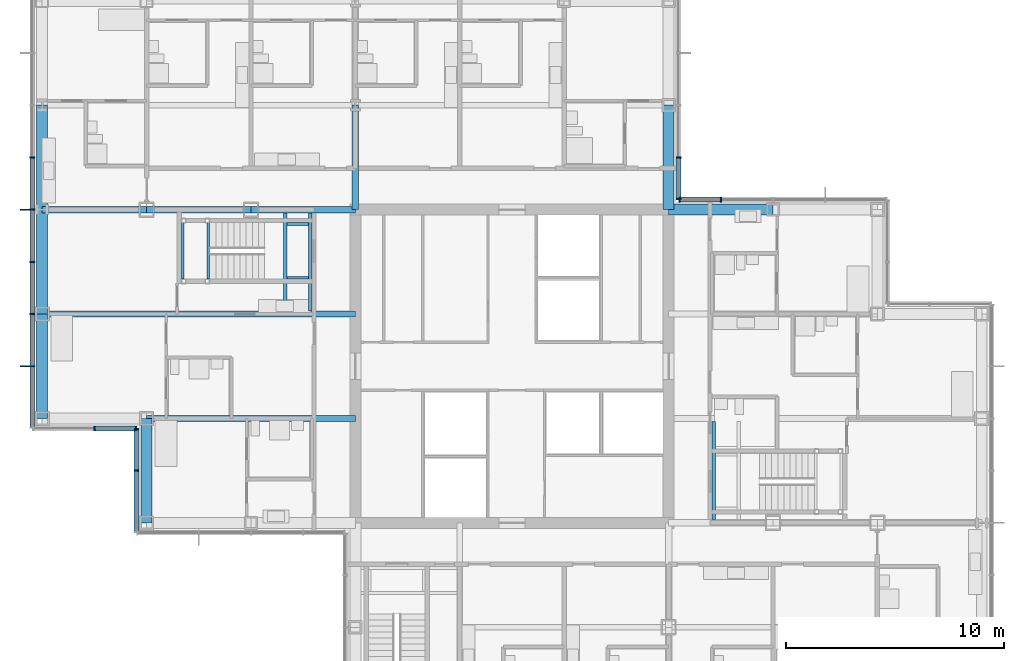
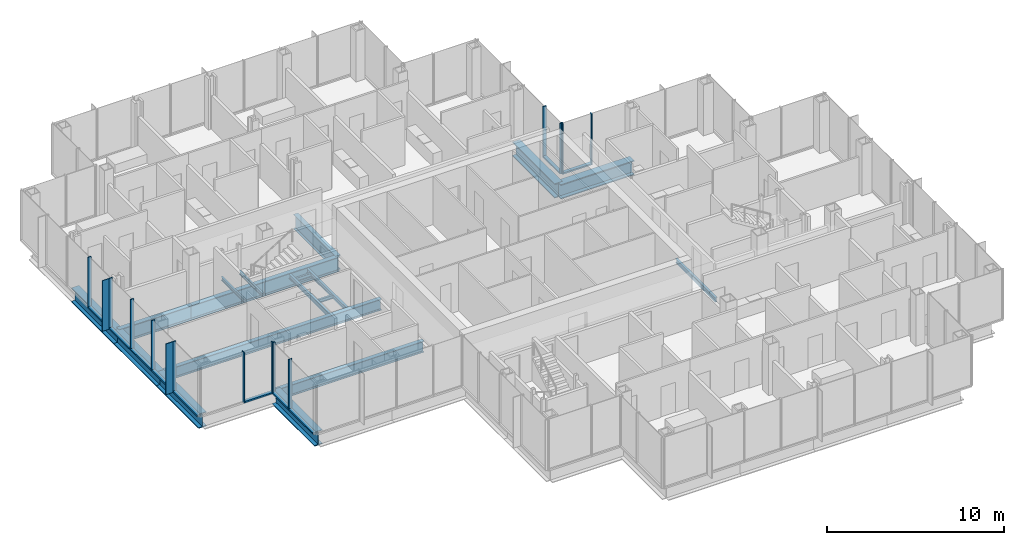
# One storey, part 7 of 20: 25 members, 19 beams, 5 elements without a shape of their own.
"""IFC4 building model written with IfcOpenShell, lengths in metres."""

import ifcopenshell
import ifcopenshell.guid

model = None  # the IFC model being written
_history = None  # IfcOwnerHistory: only IFC2X3 demands one
_inside = {}  # id of a spatial element -> (the spatial element, [elements in it])
_under = {}  # id of a project, library or spatial element -> (it, [spatial elements below it])
_declared = {}  # id of a project -> (the project, [libraries it declares])
_typed = {}  # id of a type object -> (the type object, [elements of that type])
_made_of = {}  # id of a material, layer set ... -> (it, [elements and type objects made of it])


def new_model(schema):
    """Start an empty IFC model of exactly this schema.

    Asked for "IFC4X3", IfcOpenShell would pick the latest addendum, in which some entities
    have other attributes; the version numbers below select the first issue.
    IFC2X3 requires an IfcOwnerHistory on every rooted entity: one is made here for all.
    """
    global model, _history
    if schema == "IFC4X3":
        model = ifcopenshell.file(schema_version=(4, 3, 0, 0))
    else:
        model = ifcopenshell.file(schema=schema)
    _inside.clear()
    _under.clear()
    _declared.clear()
    _typed.clear()
    _made_of.clear()
    _history = None
    if model.schema == "IFC2X3":
        org = make("IfcOrganization", Name="unknown")
        user = make(
            "IfcPersonAndOrganization",
            ThePerson=make("IfcPerson", FamilyName="unknown"),
            TheOrganization=org,
        )
        app = make(
            "IfcApplication",
            ApplicationDeveloper=org,
            Version="unknown",
            ApplicationFullName="unknown",
            ApplicationIdentifier="unknown",
        )
        _history = make(
            "IfcOwnerHistory",
            OwningUser=user,
            OwningApplication=app,
            ChangeAction="ADDED",
            CreationDate=0,
        )
    return model


def make(cls, **values):
    """One entity of the class cls with the attributes given. An attribute that is None is left unset."""
    return model.create_entity(
        cls, **{name: value for name, value in values.items() if value is not None}
    )


def rooted(cls, **values):
    """An entity with a GlobalId (a new one), such as an element, a storey or a relation."""
    return make(cls, GlobalId=ifcopenshell.guid.new(), OwnerHistory=_history, **values)


def si_unit(unit_type, name, prefix=None):
    """IfcSIUnit, for example si_unit("LENGTHUNIT", "METRE", prefix="MILLI")."""
    return make("IfcSIUnit", UnitType=unit_type, Prefix=prefix, Name=name)


def assignment(units):
    """IfcUnitAssignment: the units of a project."""
    return None if units is None else make("IfcUnitAssignment", Units=units)


def point(xyz):
    """IfcCartesianPoint."""
    return None if xyz is None else make("IfcCartesianPoint", Coordinates=xyz)


def direction(xyz):
    """IfcDirection."""
    return None if xyz is None else make("IfcDirection", DirectionRatios=xyz)


def frame(location, z_axis=None, x_axis=None):
    """IfcAxis2Placement3D, a coordinate frame: its origin and axes. An axis left out is left unset."""
    return make(
        "IfcAxis2Placement3D",
        Location=point(location),
        Axis=direction(z_axis),
        RefDirection=direction(x_axis),
    )


def frame_2d(location, x_axis=None):
    """IfcAxis2Placement2D, a coordinate frame in the plane: its origin and x axis."""
    return make(
        "IfcAxis2Placement2D", Location=point(location), RefDirection=direction(x_axis)
    )


def origin():
    """The frame at (0, 0, 0) with its axes left unset."""
    return frame((0.0, 0.0, 0.0))


def origin_2d():
    """The frame at (0, 0) in the plane with its x axis left unset."""
    return frame_2d((0.0, 0.0))


def place(relative_to, where):
    """IfcLocalPlacement: puts the frame where relative to a parent placement (None: the world)."""
    return make(
        "IfcLocalPlacement", PlacementRelTo=relative_to, RelativePlacement=where
    )


def context(
    kind, dimensions, precision=None, world=None, true_north=None, identifier=None
):
    """IfcGeometricRepresentationContext, for example the 3D "Model" context."""
    return make(
        "IfcGeometricRepresentationContext",
        ContextIdentifier=identifier,
        ContextType=kind,
        CoordinateSpaceDimension=dimensions,
        Precision=precision,
        WorldCoordinateSystem=world,
        TrueNorth=true_north,
    )


def subcontext(parent, identifier, kind, view, scale=None):
    """IfcGeometricRepresentationSubContext, for example "Body" below "Model"."""
    return make(
        "IfcGeometricRepresentationSubContext",
        ContextIdentifier=identifier,
        ContextType=kind,
        ParentContext=parent,
        TargetScale=scale,
        TargetView=view,
    )


def project(units=None, contexts=None):
    """IfcProject with its units and contexts."""
    return rooted(
        "IfcProject",
        Name="project",
        RepresentationContexts=contexts,
        UnitsInContext=assignment(units),
    )


def spatial(cls, under=None, at=None, **own):
    """A site, building, storey or space (cls), placed at a placement, below another one or the project."""
    s = rooted(cls, ObjectPlacement=at, **own)
    if under is not None:
        _under.setdefault(under.id(), (under, []))[1].append(s)
    return s


def profile(cls, at=None, kind="AREA", **sizes):
    """A parametric profile (cls). Its sizes go by their IFC names, for example OverallWidth=200.0."""
    return make(cls, ProfileType=kind, Position=at, **sizes)


def rectangle(**sizes):
    """IfcRectangleProfileDef."""
    return profile("IfcRectangleProfileDef", **sizes)


def i_section(**sizes):
    """IfcIShapeProfileDef."""
    return profile("IfcIShapeProfileDef", **sizes)


def extrude(swept, where, along, depth):
    """IfcExtrudedAreaSolid: the profile swept, set in the frame where, extruded along a direction by depth."""
    return make(
        "IfcExtrudedAreaSolid",
        SweptArea=swept,
        Position=where,
        ExtrudedDirection=direction(along),
        Depth=depth,
    )


def shape(context_of_items, identifier, shape_type, items):
    """IfcShapeRepresentation: the items that make up one representation, for example the "Body"."""
    return make(
        "IfcShapeRepresentation",
        ContextOfItems=context_of_items,
        RepresentationIdentifier=identifier,
        RepresentationType=shape_type,
        Items=items,
    )


def material(Name=None, Category=None):
    """IfcMaterial."""
    return make("IfcMaterial", Name=Name, Category=Category)


def material_profile(
    of_material, cross_section, Name=None, Category=None, Priority=None
):
    """IfcMaterialProfile: a cross section and its material."""
    return make(
        "IfcMaterialProfile",
        Name=Name,
        Material=of_material,
        Profile=cross_section,
        Priority=Priority,
        Category=Category,
    )


def profile_set(profiles, Name=None, composite=None):
    """IfcMaterialProfileSet."""
    return make(
        "IfcMaterialProfileSet",
        Name=Name,
        MaterialProfiles=profiles,
        CompositeProfile=composite,
    )


def made_of(thing, what):
    """Note that an element or type object is made of a material, layer set ...; save() writes the relation."""
    if what is not None:
        _made_of.setdefault(what.id(), (what, []))[1].append(thing)
    return thing


def type_object(cls, material=None, **own):
    """A type object (cls), such as IfcWallType, which elements share."""
    return made_of(rooted(cls, **own), material)


def element(
    cls,
    number,
    at=None,
    inside=None,
    cuts=None,
    type_object=None,
    material=None,
    context=None,
    identifier="Body",
    shape_type=None,
    held_by="IfcProductDefinitionShape",
    body=None,
    shapes=None,
    **own,
):
    """One element of the class cls, such as IfcWall. Its Tag is "e" and its number.

    at: its placement. inside: the storey or other place that contains it. cuts: it is an
    opening in that element (IfcRelVoidsElement). A single representation is given by context,
    identifier, shape_type and body (its items); several are given by shapes. held_by: the class
    of the entity that holds the representations. save() writes the other relations.
    """
    e = rooted(cls, Tag="e%d" % number, ObjectPlacement=at, **own)
    if body is not None:
        shapes = [shape(context, identifier, shape_type, body)]
    if shapes is not None:
        e.Representation = make(held_by, Representations=shapes)
    if inside is not None:
        _inside.setdefault(inside.id(), (inside, []))[1].append(e)
    if cuts is not None:
        rooted(
            "IfcRelVoidsElement", RelatingBuildingElement=cuts, RelatedOpeningElement=e
        )
    if type_object is not None:
        _typed.setdefault(type_object.id(), (type_object, []))[1].append(e)
    return made_of(e, material)


def aggregate(whole, parts):
    """IfcRelAggregates: a whole, such as a stair, and the parts it consists of."""
    return rooted("IfcRelAggregates", RelatingObject=whole, RelatedObjects=parts)


def save(model, path):
    """Write the relations noted so far, then the file.

    IfcRelAggregates (storeys below a building ...), IfcRelContainedInSpatialStructure (elements
    in a storey), IfcRelDefinesByType, IfcRelAssociatesMaterial and IfcRelDeclares: one each for
    every whole, place, type object, material and project.
    """
    for whole, parts in _under.values():
        aggregate(whole, parts)
    for where, things in _inside.values():
        rooted(
            "IfcRelContainedInSpatialStructure",
            RelatedElements=things,
            RelatingStructure=where,
        )
    for kind, things in _typed.values():
        rooted("IfcRelDefinesByType", RelatedObjects=things, RelatingType=kind)
    for what, things in _made_of.values():
        rooted("IfcRelAssociatesMaterial", RelatedObjects=things, RelatingMaterial=what)
    for by, libraries in _declared.values():
        rooted("IfcRelDeclares", RelatingContext=by, RelatedDefinitions=libraries)
    model.write(path)


model = new_model("IFC4")

# Units and contexts
model_context = context("Model", 3, precision=1e-05, world=origin(), true_north=direction((0.0, 1.0)))
body_context = subcontext(model_context, "Body", "Model", "MODEL_VIEW")
ifc_project = project(units=[si_unit("LENGTHUNIT", "METRE"), si_unit("AREAUNIT", "SQUARE_METRE"), si_unit("VOLUMEUNIT", "CUBIC_METRE"), si_unit("PLANEANGLEUNIT", "RADIAN"), si_unit("MASSUNIT", "GRAM", prefix="KILO")], contexts=[model_context])

# Site, building, storey
site_placement = place(None, origin())
site = spatial("IfcSite", under=ifc_project, at=site_placement, CompositionType="ELEMENT")
building_placement = place(site_placement, origin())
building = spatial("IfcBuilding", under=site, at=building_placement, Name="Kvirike Care Tower", CompositionType="ELEMENT")
storey_placement = place(building_placement, frame((0.0, 0.0, 91.0)))
storey = spatial("IfcBuildingStorey", under=building, at=storey_placement, Name="L24", CompositionType="ELEMENT", Elevation=91.0)

# Curtain wall, members
ifc_material_1 = material(Name="Anodised aluminium stick system", Category="aluminium")
curtain_wall_type = type_object("IfcCurtainWallType", Name="CW-B STICK CURTAIN WALL", PredefinedType="NOTDEFINED", material=ifc_material_1)
curtain_wall_1_placement = place(storey_placement, origin())
curtain_wall_1 = element("IfcCurtainWall", 1, at=curtain_wall_1_placement, inside=storey, type_object=curtain_wall_type, Name="Curtain wall L24 face 11", PredefinedType="NOTDEFINED")
ifc_material_2 = material(Name="Bronze anodised aluminium fin", Category="aluminium")
ifc_material_profile_1 = material_profile(ifc_material_2, rectangle(XDim=0.050048828125, YDim=0.449951171875, at=origin_2d()), Name="BRONZE FIN 450")
ifc_profile_set_1 = profile_set([ifc_material_profile_1], Name="Bronze anodised aluminium fin")
member_type_1 = type_object("IfcMemberType", Name="BRONZE FIN 450", PredefinedType="USERDEFINED", material=ifc_profile_set_1)
member_1_placement = place(storey_placement, frame((-0.794921875, 43.199951171875, 0.0), z_axis=(0.0, 0.0, 1.0), x_axis=(0.0, -1.0, 0.0)))
member_1 = element("IfcMember", 2, at=member_1_placement, type_object=member_type_1, Name="Bronze fin L24 face 11.5", ObjectType="FIN", PredefinedType="USERDEFINED", context=body_context, shape_type="SweptSolid", body=[
    extrude(rectangle(XDim=0.050048828125, YDim=0.449951171875, at=origin_2d()), origin(), (0.0, 0.0, 1.0), 3.5),
])
member_2_placement = place(storey_placement, frame((-0.794921875, 36.0, 0.0), z_axis=(0.0, 0.0, 1.0), x_axis=(0.0, -1.0, 0.0)))
member_2 = element("IfcMember", 3, at=member_2_placement, type_object=member_type_1, Name="Bronze fin L24 face 11.8", ObjectType="FIN", PredefinedType="USERDEFINED", context=body_context, shape_type="SweptSolid", body=[
    extrude(rectangle(XDim=0.050048828125, YDim=0.449951171875, at=origin_2d()), origin(), (0.0, 0.0, 1.0), 3.5),
])

curtain_wall_2_placement = place(storey_placement, origin())
curtain_wall_2 = element("IfcCurtainWall", 4, at=curtain_wall_2_placement, inside=storey, type_object=curtain_wall_type, Name="Curtain wall L24 face 4", PredefinedType="NOTDEFINED")
ifc_material_3 = material(Name="Bronze anodised aluminium mullion", Category="aluminium")
ifc_material_profile_2 = material_profile(ifc_material_3, rectangle(XDim=0.06494140625, YDim=0.219970703125, at=origin_2d()), Name="CW-B MULLION 65x220")
ifc_profile_set_2 = profile_set([ifc_material_profile_2], Name="Bronze anodised aluminium mullion")
member_type_2 = type_object("IfcMemberType", Name="CW-B MULLION 65x220", PredefinedType="MULLION", material=ifc_profile_set_2)
member_3_placement = place(storey_placement, frame((31.199951171875, 43.659912109375, 0.0), z_axis=(0.0, 0.0, 1.0), x_axis=(-1.0, 0.0, 0.0)))
member_3 = element("IfcMember", 5, at=member_3_placement, type_object=member_type_2, Name="CW-B mullion L24 face 4.4", PredefinedType="MULLION", context=body_context, shape_type="SweptSolid", body=[
    extrude(rectangle(XDim=0.06494140625, YDim=0.219970703125, at=origin_2d()), origin(), (0.0, 0.0, 1.0), 3.5),
])
member_4_placement = place(storey_placement, frame((29.29248046875, 43.659912109375, 0.0), z_axis=(0.0, 0.0, 1.0), x_axis=(-1.0, 0.0, 0.0)))
member_4 = element("IfcMember", 6, at=member_4_placement, type_object=member_type_2, Name="CW-B mullion L24 face 4.5", PredefinedType="MULLION", context=body_context, shape_type="SweptSolid", body=[
    extrude(rectangle(XDim=0.06494140625, YDim=0.219970703125, at=origin_2d()), origin(), (0.0, 0.0, 1.0), 3.5),
])

curtain_wall_3_placement = place(storey_placement, origin())
curtain_wall_3 = element("IfcCurtainWall", 7, at=curtain_wall_3_placement, inside=storey, type_object=curtain_wall_type, Name="Curtain wall L24 face 5", PredefinedType="NOTDEFINED")
member_5_placement = place(storey_placement, frame((29.260009765625, 43.6923828125, 0.0), z_axis=(0.0, 0.0, 1.0), x_axis=(0.0, 1.0, 0.0)))
member_5 = element("IfcMember", 8, at=member_5_placement, type_object=member_type_2, Name="CW-B mullion L24 face 5.1", PredefinedType="MULLION", context=body_context, shape_type="SweptSolid", body=[
    extrude(rectangle(XDim=0.06494140625, YDim=0.219970703125, at=origin_2d()), origin(), (0.0, 0.0, 1.0), 3.5),
])
member_6_placement = place(storey_placement, frame((29.260009765625, 45.60009765625, 0.0), z_axis=(0.0, 0.0, 1.0), x_axis=(0.0, 1.0, 0.0)))
member_6 = element("IfcMember", 9, at=member_6_placement, type_object=member_type_2, Name="CW-B mullion L24 face 5.2", PredefinedType="MULLION", context=body_context, shape_type="SweptSolid", body=[
    extrude(rectangle(XDim=0.06494140625, YDim=0.219970703125, at=origin_2d()), origin(), (0.0, 0.0, 1.0), 3.5),
])

# Member
member_7_placement = place(storey_placement, frame((-0.4599609375, 45.60009765625, 0.0), z_axis=(0.0, 0.0, 1.0), x_axis=(0.0, -1.0, 0.0)))
member_7 = element("IfcMember", 10, at=member_7_placement, type_object=member_type_2, Name="CW-B mullion L24 face 11.4", PredefinedType="MULLION", context=body_context, shape_type="SweptSolid", body=[
    extrude(rectangle(XDim=0.06494140625, YDim=0.219970703125, at=origin_2d()), origin(), (0.0, 0.0, 1.0), 3.5),
])

member_8_placement = place(storey_placement, frame((-0.4599609375, 43.199951171875, 0.0), z_axis=(0.0, 0.0, 1.0), x_axis=(0.0, -1.0, 0.0)))
member_8 = element("IfcMember", 11, at=member_8_placement, type_object=member_type_2, Name="CW-B mullion L24 face 11.5", PredefinedType="MULLION", context=body_context, shape_type="SweptSolid", body=[
    extrude(rectangle(XDim=0.06494140625, YDim=0.219970703125, at=origin_2d()), origin(), (0.0, 0.0, 1.0), 3.5),
])

member_9_placement = place(storey_placement, frame((-0.4599609375, 40.800048828125, 0.0), z_axis=(0.0, 0.0, 1.0), x_axis=(0.0, -1.0, 0.0)))
member_9 = element("IfcMember", 12, at=member_9_placement, type_object=member_type_2, Name="CW-B mullion L24 face 11.6", PredefinedType="MULLION", context=body_context, shape_type="SweptSolid", body=[
    extrude(rectangle(XDim=0.06494140625, YDim=0.219970703125, at=origin_2d()), origin(), (0.0, 0.0, 1.0), 3.5),
])

member_10_placement = place(storey_placement, frame((-0.4599609375, 38.39990234375, 0.0), z_axis=(0.0, 0.0, 1.0), x_axis=(0.0, -1.0, 0.0)))
member_10 = element("IfcMember", 13, at=member_10_placement, type_object=member_type_2, Name="CW-B mullion L24 face 11.7", PredefinedType="MULLION", context=body_context, shape_type="SweptSolid", body=[
    extrude(rectangle(XDim=0.06494140625, YDim=0.219970703125, at=origin_2d()), origin(), (0.0, 0.0, 1.0), 3.5),
])

member_11_placement = place(storey_placement, frame((-0.4599609375, 36.0, 0.0), z_axis=(0.0, 0.0, 1.0), x_axis=(0.0, -1.0, 0.0)))
member_11 = element("IfcMember", 14, at=member_11_placement, type_object=member_type_2, Name="CW-B mullion L24 face 11.8", PredefinedType="MULLION", context=body_context, shape_type="SweptSolid", body=[
    extrude(rectangle(XDim=0.06494140625, YDim=0.219970703125, at=origin_2d()), origin(), (0.0, 0.0, 1.0), 3.5),
])

# Curtain wall, members
curtain_wall_4_placement = place(storey_placement, origin())
curtain_wall_4 = element("IfcCurtainWall", 15, at=curtain_wall_4_placement, inside=storey, type_object=curtain_wall_type, Name="Curtain wall L24 face 12", PredefinedType="NOTDEFINED")
member_12_placement = place(storey_placement, frame((2.39990234375, 33.139892578125, 0.0), z_axis=(0.0, 0.0, 1.0), x_axis=(1.0, 0.0, 0.0)))
member_12 = element("IfcMember", 16, at=member_12_placement, type_object=member_type_2, Name="CW-B mullion L24 face 12.2", PredefinedType="MULLION", context=body_context, shape_type="SweptSolid", body=[
    extrude(rectangle(XDim=0.06494140625, YDim=0.219970703125, at=origin_2d()), origin(), (0.0, 0.0, 1.0), 3.5),
])
member_13_placement = place(storey_placement, frame((4.3076171875, 33.139892578125, 0.0), z_axis=(0.0, 0.0, 1.0), x_axis=(1.0, 0.0, 0.0)))
member_13 = element("IfcMember", 17, at=member_13_placement, type_object=member_type_2, Name="CW-B mullion L24 face 12.3", PredefinedType="MULLION", context=body_context, shape_type="SweptSolid", body=[
    extrude(rectangle(XDim=0.06494140625, YDim=0.219970703125, at=origin_2d()), origin(), (0.0, 0.0, 1.0), 3.5),
])

curtain_wall_5_placement = place(storey_placement, origin())
curtain_wall_5 = element("IfcCurtainWall", 18, at=curtain_wall_5_placement, inside=storey, type_object=curtain_wall_type, Name="Curtain wall L24 face 13", PredefinedType="NOTDEFINED")
member_14_placement = place(storey_placement, frame((4.340087890625, 33.107421875, 0.0), z_axis=(0.0, 0.0, 1.0), x_axis=(0.0, -1.0, 0.0)))
member_14 = element("IfcMember", 19, at=member_14_placement, type_object=member_type_2, Name="CW-B mullion L24 face 13.1", PredefinedType="MULLION", context=body_context, shape_type="SweptSolid", body=[
    extrude(rectangle(XDim=0.06494140625, YDim=0.219970703125, at=origin_2d()), origin(), (0.0, 0.0, 1.0), 3.5),
])
member_15_placement = place(storey_placement, frame((4.340087890625, 31.199951171875, 0.0), z_axis=(0.0, 0.0, 1.0), x_axis=(0.0, -1.0, 0.0)))
member_15 = element("IfcMember", 20, at=member_15_placement, type_object=member_type_2, Name="CW-B mullion L24 face 13.2", PredefinedType="MULLION", context=body_context, shape_type="SweptSolid", body=[
    extrude(rectangle(XDim=0.06494140625, YDim=0.219970703125, at=origin_2d()), origin(), (0.0, 0.0, 1.0), 3.5),
])

# Member
ifc_material_4 = material(Name="Bronze anodised aluminium transom", Category="aluminium")
ifc_material_profile_3 = material_profile(ifc_material_4, rectangle(XDim=0.219970703125, YDim=0.10009765625, at=origin_2d()), Name="CW-B TRANSOM 220x100")
ifc_profile_set_3 = profile_set([ifc_material_profile_3], Name="Bronze anodised aluminium transom")
member_type_3 = type_object("IfcMemberType", Name="CW-B TRANSOM 220x100", PredefinedType="USERDEFINED", material=ifc_profile_set_3)
member_16_placement = place(storey_placement, frame((31.16748046875, 43.659912109375, 0.050048828125), z_axis=(-1.0, 0.0, 0.0), x_axis=(0.0, -1.0, 0.0)))
member_16 = element("IfcMember", 21, at=member_16_placement, type_object=member_type_3, Name="CW-B sill transom L24 face 4.4", ObjectType="TRANSOM", PredefinedType="USERDEFINED", context=body_context, shape_type="SweptSolid", body=[
    extrude(rectangle(XDim=0.219970703125, YDim=0.10009765625, at=origin_2d()), origin(), (0.0, 0.0, 1.0), 1.842529296875),
])

aggregate(curtain_wall_2, [member_3, member_4, member_16])

member_17_placement = place(storey_placement, frame((29.260009765625, 43.72509765625, 0.050048828125), z_axis=(0.0, 1.0, 0.0), x_axis=(-1.0, 0.0, 0.0)))
member_17 = element("IfcMember", 22, at=member_17_placement, type_object=member_type_3, Name="CW-B sill transom L24 face 5.1", ObjectType="TRANSOM", PredefinedType="USERDEFINED", context=body_context, shape_type="SweptSolid", body=[
    extrude(rectangle(XDim=0.219970703125, YDim=0.10009765625, at=origin_2d()), origin(), (0.0, 0.0, 1.0), 1.84228515625),
])

aggregate(curtain_wall_3, [member_5, member_6, member_17])

member_18_placement = place(storey_placement, frame((-0.4599609375, 45.5673828125, 0.050048828125), z_axis=(0.0, -1.0, 0.0), x_axis=(1.0, 0.0, 0.0)))
member_18 = element("IfcMember", 23, at=member_18_placement, type_object=member_type_3, Name="CW-B sill transom L24 face 11.4", ObjectType="TRANSOM", PredefinedType="USERDEFINED", context=body_context, shape_type="SweptSolid", body=[
    extrude(rectangle(XDim=0.219970703125, YDim=0.10009765625, at=origin_2d()), origin(), (0.0, 0.0, 1.0), 2.3349609375),
])

member_19_placement = place(storey_placement, frame((-0.4599609375, 43.16748046875, 0.050048828125), z_axis=(0.0, -1.0, 0.0), x_axis=(1.0, 0.0, 0.0)))
member_19 = element("IfcMember", 24, at=member_19_placement, type_object=member_type_3, Name="CW-B sill transom L24 face 11.5", ObjectType="TRANSOM", PredefinedType="USERDEFINED", context=body_context, shape_type="SweptSolid", body=[
    extrude(rectangle(XDim=0.219970703125, YDim=0.10009765625, at=origin_2d()), origin(), (0.0, 0.0, 1.0), 2.3349609375),
])

member_20_placement = place(storey_placement, frame((-0.4599609375, 40.767578125, 0.050048828125), z_axis=(0.0, -1.0, 0.0), x_axis=(1.0, 0.0, 0.0)))
member_20 = element("IfcMember", 25, at=member_20_placement, type_object=member_type_3, Name="CW-B sill transom L24 face 11.6", ObjectType="TRANSOM", PredefinedType="USERDEFINED", context=body_context, shape_type="SweptSolid", body=[
    extrude(rectangle(XDim=0.219970703125, YDim=0.10009765625, at=origin_2d()), origin(), (0.0, 0.0, 1.0), 2.3349609375),
])

member_21_placement = place(storey_placement, frame((-0.4599609375, 38.367431640625, 0.050048828125), z_axis=(0.0, -1.0, 0.0), x_axis=(1.0, 0.0, 0.0)))
member_21 = element("IfcMember", 26, at=member_21_placement, type_object=member_type_3, Name="CW-B sill transom L24 face 11.7", ObjectType="TRANSOM", PredefinedType="USERDEFINED", context=body_context, shape_type="SweptSolid", body=[
    extrude(rectangle(XDim=0.219970703125, YDim=0.10009765625, at=origin_2d()), origin(), (0.0, 0.0, 1.0), 2.3349609375),
])

member_22_placement = place(storey_placement, frame((-0.4599609375, 35.967529296875, 0.050048828125), z_axis=(0.0, -1.0, 0.0), x_axis=(1.0, 0.0, 0.0)))
member_22 = element("IfcMember", 27, at=member_22_placement, type_object=member_type_3, Name="CW-B sill transom L24 face 11.8", ObjectType="TRANSOM", PredefinedType="USERDEFINED", context=body_context, shape_type="SweptSolid", body=[
    extrude(rectangle(XDim=0.219970703125, YDim=0.10009765625, at=origin_2d()), origin(), (0.0, 0.0, 1.0), 2.762451171875),
])

aggregate(curtain_wall_1, [member_7, member_8, member_1, member_9, member_10, member_11, member_2, member_18, member_19, member_20, member_21, member_22])

member_23_placement = place(storey_placement, frame((2.4326171875, 33.139892578125, 0.050048828125), z_axis=(1.0, 0.0, 0.0), x_axis=(0.0, 1.0, 0.0)))
member_23 = element("IfcMember", 28, at=member_23_placement, type_object=member_type_3, Name="CW-B sill transom L24 face 12.2", ObjectType="TRANSOM", PredefinedType="USERDEFINED", context=body_context, shape_type="SweptSolid", body=[
    extrude(rectangle(XDim=0.219970703125, YDim=0.10009765625, at=origin_2d()), origin(), (0.0, 0.0, 1.0), 1.84228515625),
])

aggregate(curtain_wall_4, [member_12, member_13, member_23])

member_24_placement = place(storey_placement, frame((4.340087890625, 33.074951171875, 0.050048828125), z_axis=(0.0, -1.0, 0.0), x_axis=(1.0, 0.0, 0.0)))
member_24 = element("IfcMember", 29, at=member_24_placement, type_object=member_type_3, Name="CW-B sill transom L24 face 13.1", ObjectType="TRANSOM", PredefinedType="USERDEFINED", context=body_context, shape_type="SweptSolid", body=[
    extrude(rectangle(XDim=0.219970703125, YDim=0.10009765625, at=origin_2d()), origin(), (0.0, 0.0, 1.0), 1.842529296875),
])

member_25_placement = place(storey_placement, frame((4.340087890625, 31.16748046875, 0.050048828125), z_axis=(0.0, -1.0, 0.0), x_axis=(1.0, 0.0, 0.0)))
member_25 = element("IfcMember", 30, at=member_25_placement, type_object=member_type_3, Name="CW-B sill transom L24 face 13.2", ObjectType="TRANSOM", PredefinedType="USERDEFINED", context=body_context, shape_type="SweptSolid", body=[
    extrude(rectangle(XDim=0.219970703125, YDim=0.10009765625, at=origin_2d()), origin(), (0.0, 0.0, 1.0), 2.762451171875),
])

aggregate(curtain_wall_5, [member_14, member_15, member_24, member_25])

# Beams
ifc_material_5 = material(Name="Steel S355", Category="steel")
ifc_material_profile_4 = material_profile(ifc_material_5, i_section(OverallWidth=0.26806640625, OverallDepth=0.77001953125, WebThickness=0.015625, FlangeThickness=0.025390625, FilletRadius=0.01708984375, at=origin_2d()), Name="IPE 750x196")
ifc_profile_set_4 = profile_set([ifc_material_profile_4], Name="Steel S355")
beam_type_1 = type_object("IfcBeamType", Name="FLOOR BEAM IPE 750x196", PredefinedType="BEAM", material=ifc_profile_set_4)
beam_1_placement = place(storey_placement, frame((4.800048828125, 33.60009765625, -0.554931640625), z_axis=(1.0, 0.0, 0.0), x_axis=(0.0, 1.0, 0.0)))
element("IfcBeam", 31, at=beam_1_placement, inside=storey, type_object=beam_type_1, Name="Floor Beam H4-H6 L24", PredefinedType="BEAM", context=body_context, shape_type="SweptSolid", body=[
    extrude(i_section(OverallWidth=0.26806640625, OverallDepth=0.77001953125, WebThickness=0.015625, FlangeThickness=0.025390625, FilletRadius=0.01708984375, at=origin_2d()), origin(), (0.0, 0.0, 1.0), 9.599853515625),
])
beam_2_placement = place(storey_placement, frame((0.0, 38.39990234375, -0.554931640625), z_axis=(1.0, 0.0, 0.0), x_axis=(0.0, 1.0, 0.0)))
element("IfcBeam", 32, at=beam_2_placement, inside=storey, type_object=beam_type_1, Name="Floor Beam J3-J6 L24", PredefinedType="BEAM", context=body_context, shape_type="SweptSolid", body=[
    extrude(i_section(OverallWidth=0.26806640625, OverallDepth=0.77001953125, WebThickness=0.015625, FlangeThickness=0.025390625, FilletRadius=0.01708984375, at=origin_2d()), origin(), (0.0, 0.0, 1.0), 14.39990234375),
])
ifc_material_6 = material(Name="Steel S355", Category="steel")
ifc_material_profile_5 = material_profile(ifc_material_6, i_section(OverallWidth=0.300048828125, OverallDepth=1.0, WebThickness=0.01904296875, FlangeThickness=0.035888671875, FilletRadius=0.030029296875, at=origin_2d()), Name="HE 1000 B")
ifc_profile_set_5 = profile_set([ifc_material_profile_5], Name="Steel S355")
beam_type_2 = type_object("IfcBeamType", Name="FRAME BEAM HE 1000 B", PredefinedType="BEAM", material=ifc_profile_set_5)
for number, where, z_axis, x_axis, name in (
    (33, (0.0, 43.199951171875, -0.669921875), (1.0, 0.0, 0.0), (0.0, 1.0, 0.0), "Frame Beam K3-K4 L24"),
    (34, (4.800048828125, 43.199951171875, -0.669921875), (1.0, 0.0, 0.0), (0.0, 1.0, 0.0), "Frame Beam K4-K5 L24"),
):
    element("IfcBeam", number, at=place(storey_placement, frame(where, z_axis=z_axis, x_axis=x_axis)), inside=storey, type_object=beam_type_2, Name=name, PredefinedType="BEAM", context=body_context, shape_type="SweptSolid", body=[
        extrude(i_section(OverallWidth=0.300048828125, OverallDepth=1.0, WebThickness=0.01904296875, FlangeThickness=0.035888671875, FilletRadius=0.030029296875, at=origin_2d()), origin(), (0.0, 0.0, 1.0), 4.800048828125),
    ])
beam_3_placement = place(storey_placement, frame((9.60009765625, 43.199951171875, -0.669921875), z_axis=(1.0, 0.0, 0.0), x_axis=(0.0, 1.0, 0.0)))
element("IfcBeam", 35, at=beam_3_placement, inside=storey, type_object=beam_type_2, Name="Frame Beam K5-K6 L24", PredefinedType="BEAM", context=body_context, shape_type="SweptSolid", body=[
    extrude(i_section(OverallWidth=0.300048828125, OverallDepth=1.0, WebThickness=0.01904296875, FlangeThickness=0.035888671875, FilletRadius=0.030029296875, at=origin_2d()), origin(), (0.0, 0.0, 1.0), 4.7998046875),
])
beam_4_placement = place(storey_placement, frame((14.39990234375, 43.199951171875, -0.669921875), z_axis=(0.0, 1.0, 0.0), x_axis=(-1.0, 0.0, 0.0)))
element("IfcBeam", 36, at=beam_4_placement, inside=storey, type_object=beam_type_2, Name="Frame Beam K6-L6 L24", PredefinedType="BEAM", context=body_context, shape_type="SweptSolid", body=[
    extrude(i_section(OverallWidth=0.300048828125, OverallDepth=1.0, WebThickness=0.01904296875, FlangeThickness=0.035888671875, FilletRadius=0.030029296875, at=origin_2d()), origin(), (0.0, 0.0, 1.0), 4.800048828125),
])
ifc_material_7 = material(Name="Steel S355", Category="steel")
ifc_material_profile_6 = material_profile(ifc_material_7, i_section(OverallWidth=0.5, OverallDepth=1.0, WebThickness=0.030029296875, FlangeThickness=0.06005859375, at=origin_2d()), Name="PG 1000x500x30x60")
ifc_profile_set_6 = profile_set([ifc_material_profile_6], Name="Steel S355")
beam_type_3 = type_object("IfcBeamType", Name="SPANDREL PG 1000x500x30x60", PredefinedType="SPANDREL", material=ifc_profile_set_6)
beam_5_placement = place(storey_placement, frame((28.800048828125, 43.199951171875, -0.669921875), z_axis=(1.0, 0.0, 0.0), x_axis=(0.0, 1.0, 0.0)))
element("IfcBeam", 37, at=beam_5_placement, inside=storey, type_object=beam_type_3, Name="Spandrel K9-K10 L24", PredefinedType="SPANDREL", context=body_context, shape_type="SweptSolid", body=[
    extrude(i_section(OverallWidth=0.5, OverallDepth=1.0, WebThickness=0.030029296875, FlangeThickness=0.06005859375, at=origin_2d()), origin(), (0.0, 0.0, 1.0), 4.800048828125),
])
beam_6_placement = place(storey_placement, frame((0.0, 33.60009765625, -0.669921875), z_axis=(0.0, 1.0, 0.0), x_axis=(-1.0, 0.0, 0.0)))
element("IfcBeam", 38, at=beam_6_placement, inside=storey, type_object=beam_type_3, Name="Spandrel H3-J3 L24", PredefinedType="SPANDREL", context=body_context, shape_type="SweptSolid", body=[
    extrude(i_section(OverallWidth=0.5, OverallDepth=1.0, WebThickness=0.030029296875, FlangeThickness=0.06005859375, at=origin_2d()), origin(), (0.0, 0.0, 1.0), 4.7998046875),
])
for number, where, z_axis, x_axis, name in (
    (39, (0.0, 38.39990234375, -0.669921875), (0.0, 1.0, 0.0), (-1.0, 0.0, 0.0), "Spandrel J3-K3 L24"),
    (40, (0.0, 43.199951171875, -0.669921875), (0.0, 1.0, 0.0), (-1.0, 0.0, 0.0), "Spandrel K3-L3 L24"),
    (41, (4.800048828125, 28.800048828125, -0.669921875), (0.0, 1.0, 0.0), (-1.0, 0.0, 0.0), "Spandrel G4-H4 L24"),
    (42, (28.800048828125, 43.199951171875, -0.669921875), (0.0, 1.0, 0.0), (-1.0, 0.0, 0.0), "Spandrel K9-L9 L24"),
):
    element("IfcBeam", number, at=place(storey_placement, frame(where, z_axis=z_axis, x_axis=x_axis)), inside=storey, type_object=beam_type_3, Name=name, PredefinedType="SPANDREL", context=body_context, shape_type="SweptSolid", body=[
        extrude(i_section(OverallWidth=0.5, OverallDepth=1.0, WebThickness=0.030029296875, FlangeThickness=0.06005859375, at=origin_2d()), origin(), (0.0, 0.0, 1.0), 4.800048828125),
    ])
ifc_material_8 = material(Name="Steel S355", Category="steel")
ifc_material_profile_7 = material_profile(ifc_material_8, i_section(OverallWidth=0.1201171875, OverallDepth=0.239990234375, WebThickness=0.006103515625, FlangeThickness=0.009765625, FilletRadius=0.014892578125, at=origin_2d()), Name="IPE 240")
ifc_profile_set_7 = profile_set([ifc_material_profile_7], Name="Steel S355")
beam_type_4 = type_object("IfcBeamType", Name="STAIR LANDING BEAM IPE 240", PredefinedType="BEAM", material=ifc_profile_set_7)
for number, where, z_axis, x_axis, name in (
    (43, (6.4599609375, 42.60009765625, 1.429931640625), (0.0, -1.0, 0.0), (1.0, 0.0, 0.0), "Stair 1 landing beam back L24"),
    (44, (7.639892578125, 42.60009765625, 1.429931640625), (0.0, -1.0, 0.0), (1.0, 0.0, 0.0), "Stair 1 landing beam front L24"),
):
    element("IfcBeam", number, at=place(storey_placement, frame(where, z_axis=z_axis, x_axis=x_axis)), inside=storey, type_object=beam_type_4, Name=name, PredefinedType="BEAM", context=body_context, shape_type="SweptSolid", body=[
        extrude(i_section(OverallWidth=0.1201171875, OverallDepth=0.239990234375, WebThickness=0.006103515625, FlangeThickness=0.009765625, FilletRadius=0.014892578125, at=origin_2d()), origin(), (0.0, 0.0, 1.0), 2.60009765625),
    ])
for number, where, z_axis, x_axis, name in (
    (45, (11.25, 42.5400390625, -0.320068359375), (1.0, 0.0, 0.0), (0.0, 1.0, 0.0), "Stair 1 landing edge beam 1 L24"),
    (46, (11.25, 40.06005859375, -0.320068359375), (1.0, 0.0, 0.0), (0.0, 1.0, 0.0), "Stair 1 landing edge beam 2 L24"),
):
    element("IfcBeam", number, at=place(storey_placement, frame(where, z_axis=z_axis, x_axis=x_axis)), inside=storey, type_object=beam_type_4, Name=name, PredefinedType="BEAM", context=body_context, shape_type="SweptSolid", body=[
        extrude(i_section(OverallWidth=0.1201171875, OverallDepth=0.239990234375, WebThickness=0.006103515625, FlangeThickness=0.009765625, FilletRadius=0.014892578125, at=origin_2d()), origin(), (0.0, 0.0, 1.0), 1.0),
    ])
ifc_material_9 = material(Name="Steel S355", Category="steel")
ifc_material_profile_8 = material_profile(ifc_material_9, i_section(OverallWidth=0.14990234375, OverallDepth=0.300048828125, WebThickness=0.007080078125, FlangeThickness=0.0107421875, FilletRadius=0.014892578125, at=origin_2d()), Name="IPE 300")
ifc_profile_set_8 = profile_set([ifc_material_profile_8], Name="Steel S355")
beam_type_5 = type_object("IfcBeamType", Name="STAIR TRIMMER IPE 300", PredefinedType="BEAM", material=ifc_profile_set_8)
for number, where, z_axis, x_axis, name in (
    (47, (11.175048828125, 43.050048828125, -0.35009765625), (0.0, -1.0, 0.0), (1.0, 0.0, 0.0), "Stair 1 trimmer 1 L24"),
    (48, (12.324951171875, 43.050048828125, -0.35009765625), (0.0, -1.0, 0.0), (1.0, 0.0, 0.0), "Stair 1 trimmer 2 L24"),
    (49, (30.875, 28.949951171875, -0.35009765625), (0.0, 1.0, 0.0), (-1.0, 0.0, 0.0), "Stair 2 trimmer 2 L24"),
):
    element("IfcBeam", number, at=place(storey_placement, frame(where, z_axis=z_axis, x_axis=x_axis)), inside=storey, type_object=beam_type_5, Name=name, PredefinedType="BEAM", context=body_context, shape_type="SweptSolid", body=[
        extrude(i_section(OverallWidth=0.14990234375, OverallDepth=0.300048828125, WebThickness=0.007080078125, FlangeThickness=0.0107421875, FilletRadius=0.014892578125, at=origin_2d()), origin(), (0.0, 0.0, 1.0), 4.51611328125),
    ])

save(model, "model.ifc")
